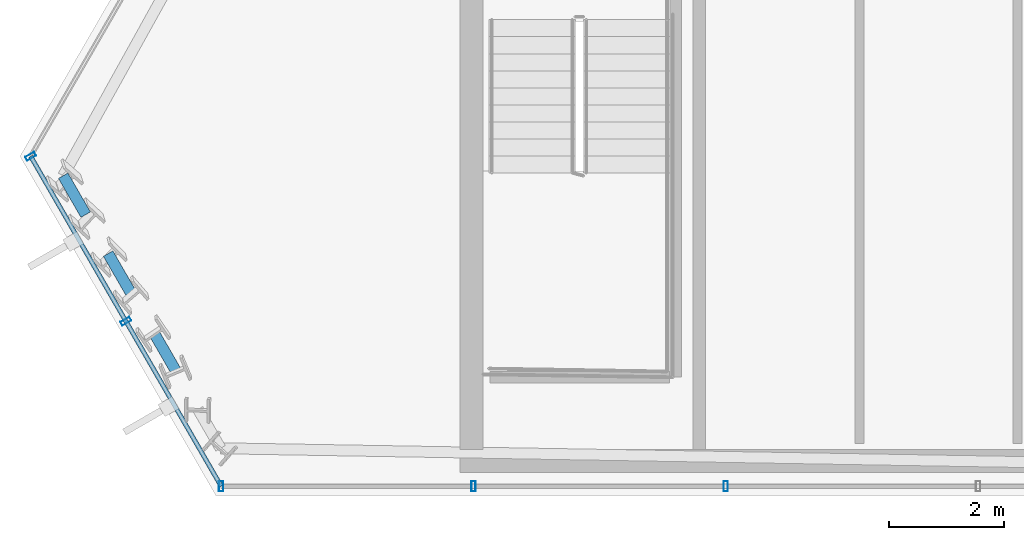
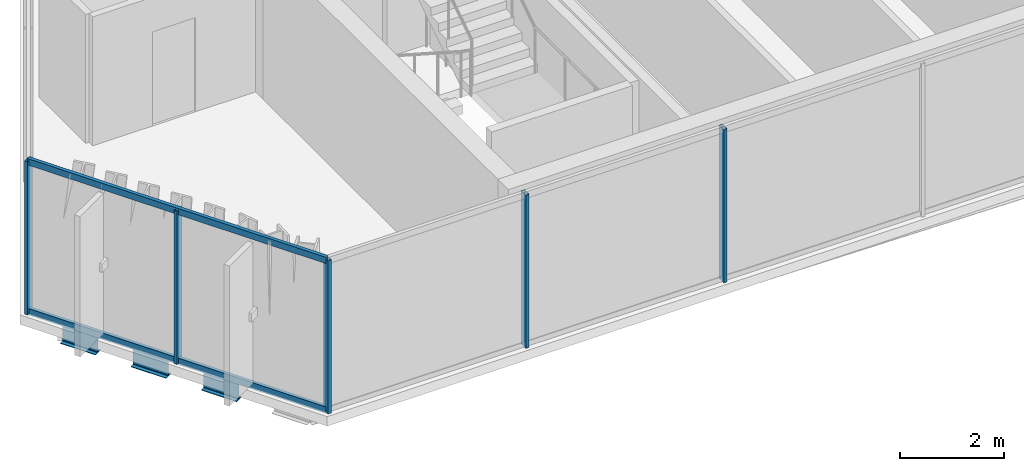
# One storey, part 2 of 29: 7 members, 3 beams, 2 elements without a shape of their own.
"""IFC4 building model written with IfcOpenShell, lengths in metres."""

from ifc_helpers import new_model, si_unit, direction, frame, origin, origin_2d, place, context, subcontext, project, spatial, hollow_rectangle, i_section, extrude, material, layer, layer_set, material_profile, profile_set, type_object, element, aggregate, save


model = new_model("IFC4")

# Units and contexts
model_context = context("Model", 3, precision=1e-05, world=origin(), true_north=direction((0.0, 1.0)))
body_context = subcontext(model_context, "Body", "Model", "MODEL_VIEW")
ifc_project = project(units=[si_unit("LENGTHUNIT", "METRE"), si_unit("AREAUNIT", "SQUARE_METRE"), si_unit("VOLUMEUNIT", "CUBIC_METRE"), si_unit("PLANEANGLEUNIT", "RADIAN"), si_unit("MASSUNIT", "GRAM", prefix="KILO")], contexts=[model_context])

# Site, building, storey
site_placement = place(None, origin())
site = spatial("IfcSite", under=ifc_project, at=site_placement, CompositionType="ELEMENT")
building_placement = place(site_placement, origin())
building = spatial("IfcBuilding", under=site, at=building_placement, Name="Ndaravel Arena Tower", CompositionType="ELEMENT")
storey_placement = place(building_placement, frame((0.0, 0.0, 248.39990234375)))
storey = spatial("IfcBuildingStorey", under=building, at=storey_placement, Name="L60", CompositionType="ELEMENT", Elevation=248.39990234375)

# Beams
ifc_material_1 = material(Name="Steel S355", Category="steel")
ifc_material_profile_1 = material_profile(ifc_material_1, i_section(OverallWidth=0.18994140625, OverallDepth=0.449951171875, WebThickness=0.009521484375, FlangeThickness=0.0146484375, FilletRadius=0.02099609375, at=origin_2d()), Name="IPE 450")
ifc_profile_set_1 = profile_set([ifc_material_profile_1], Name="Steel S355")
beam_type = type_object("IfcBeamType", Name="BM-SPAN-IPE450", PredefinedType="SPANDREL", material=ifc_profile_set_1)
for number, where, z_axis, x_axis, name in (
    (1, (19.56884765625, 10.54443359375, -0.44482421875), (0.500011542666, -0.866018739521, 0.0), (0.866018739521, 0.500011542666, 0.0), "L60 Perimeter Spandrel Beam SP-20"),
    (2, (20.348388671875, 9.19384765625, -0.44482421875), (0.500011542666, -0.866018739521, 0.0), (0.866018739521, 0.500011542666, 0.0), "L60 Perimeter Spandrel Beam SP-22"),
    (3, (21.128173828125, 7.843505859375, -0.44482421875), (0.500011542666, -0.866018739521, 0.0), (0.866018739521, 0.500011542666, 0.0), "L60 Perimeter Spandrel Beam SP-24"),
):
    element("IfcBeam", number, at=place(storey_placement, frame(where, z_axis=z_axis, x_axis=x_axis)), inside=storey, type_object=beam_type, Name=name, PredefinedType="SPANDREL", context=body_context, shape_type="SweptSolid", body=[
        extrude(i_section(OverallWidth=0.18994140625, OverallDepth=0.449951171875, WebThickness=0.009521484375, FlangeThickness=0.0146484375, FilletRadius=0.02099609375, at=origin_2d()), origin(), (0.0, 0.0, 1.0), 0.77978515625),
    ])

# Curtain wall, members
ifc_material_2 = material(Name="Aluminium", Category="aluminium")
ifc_layer_1 = layer(ifc_material_2, 0.179931640625)
ifc_layer_set_1 = layer_set([ifc_layer_1], Name="Aluminium")
curtain_wall_type_1 = type_object("IfcCurtainWallType", Name="CW-SYS-03", PredefinedType="NOTDEFINED", material=ifc_layer_set_1)
curtain_wall_1_placement = place(storey_placement, origin())
curtain_wall_1 = element("IfcCurtainWall", 4, at=curtain_wall_1_placement, inside=storey, type_object=curtain_wall_type_1, Name="L60 Faceted Crystal Curtain Wall CW-L60-E01", PredefinedType="NOTDEFINED")
ifc_material_3 = material(Name="Aluminium", Category="aluminium")
ifc_material_profile_2 = material_profile(ifc_material_3, hollow_rectangle(XDim=0.074951171875, YDim=0.179931640625, WallThickness=0.00390625, at=origin_2d()), Name="CW MULLION 75x180x4")
ifc_profile_set_2 = profile_set([ifc_material_profile_2], Name="Aluminium")
member_type_1 = type_object("IfcMemberType", Name="MEM-CW-MUL180", PredefinedType="MULLION", material=ifc_profile_set_2)
member_1_placement = place(storey_placement, frame((22.30810546875, 5.159912109375, 0.0), z_axis=(0.0, 0.0, 1.0), x_axis=(1.0, 0.0, 0.0)))
member_1 = element("IfcMember", 5, at=member_1_placement, type_object=member_type_1, Name="CW-L60-E01 Mullion 00", PredefinedType="MULLION", context=body_context, shape_type="SweptSolid", body=[
    extrude(hollow_rectangle(XDim=0.074951171875, YDim=0.179931640625, WallThickness=0.00390625, at=origin_2d()), origin(), (0.0, 0.0, 1.0), 3.580078125),
])
member_2_placement = place(storey_placement, frame((26.68408203125, 5.159912109375, 0.0), z_axis=(0.0, 0.0, 1.0), x_axis=(1.0, 0.0, 0.0)))
member_2 = element("IfcMember", 6, at=member_2_placement, type_object=member_type_1, Name="CW-L60-E01 Mullion 01", PredefinedType="MULLION", context=body_context, shape_type="SweptSolid", body=[
    extrude(hollow_rectangle(XDim=0.074951171875, YDim=0.179931640625, WallThickness=0.00390625, at=origin_2d()), origin(), (0.0, 0.0, 1.0), 3.580078125),
])
member_3_placement = place(storey_placement, frame((31.06005859375, 5.159912109375, 0.0), z_axis=(0.0, 0.0, 1.0), x_axis=(1.0, 0.0, 0.0)))
member_3 = element("IfcMember", 7, at=member_3_placement, type_object=member_type_1, Name="CW-L60-E01 Mullion 02", PredefinedType="MULLION", context=body_context, shape_type="SweptSolid", body=[
    extrude(hollow_rectangle(XDim=0.074951171875, YDim=0.179931640625, WallThickness=0.00390625, at=origin_2d()), origin(), (0.0, 0.0, 1.0), 3.580078125),
])
aggregate(curtain_wall_1, [member_1, member_2, member_3])

ifc_material_4 = material(Name="Aluminium", Category="aluminium")
ifc_layer_2 = layer(ifc_material_4, 0.179931640625)
ifc_layer_set_2 = layer_set([ifc_layer_2], Name="Aluminium")
curtain_wall_type_2 = type_object("IfcCurtainWallType", Name="CW-SYS-02", PredefinedType="NOTDEFINED", material=ifc_layer_set_2)
curtain_wall_2_placement = place(storey_placement, origin())
curtain_wall_2 = element("IfcCurtainWall", 8, at=curtain_wall_2_placement, inside=storey, type_object=curtain_wall_type_2, Name="L60 Faceted Crystal Curtain Wall CW-L60-E06", PredefinedType="NOTDEFINED")
member_4_placement = place(storey_placement, frame((19.00439453125, 10.882080078125, 0.0), z_axis=(0.0, 0.0, 1.0), x_axis=(0.5, -0.866025403784, 0.0)))
member_4 = element("IfcMember", 9, at=member_4_placement, type_object=member_type_1, Name="CW-L60-E06 Mullion 00", PredefinedType="MULLION", context=body_context, shape_type="SweptSolid", body=[
    extrude(hollow_rectangle(XDim=0.074951171875, YDim=0.179931640625, WallThickness=0.00390625, at=origin_2d()), origin(), (0.0, 0.0, 1.0), 3.580078125),
])
member_5_placement = place(storey_placement, frame((20.65625, 8.02099609375, 0.0), z_axis=(0.0, 0.0, 1.0), x_axis=(0.5, -0.866025403784, 0.0)))
member_5 = element("IfcMember", 10, at=member_5_placement, type_object=member_type_1, Name="CW-L60-E06 Mullion 01", PredefinedType="MULLION", context=body_context, shape_type="SweptSolid", body=[
    extrude(hollow_rectangle(XDim=0.074951171875, YDim=0.179931640625, WallThickness=0.00390625, at=origin_2d()), origin(), (0.0, 0.0, 1.0), 3.580078125),
])
ifc_material_5 = material(Name="Aluminium", Category="aluminium")
ifc_material_profile_3 = material_profile(ifc_material_5, hollow_rectangle(XDim=0.074951171875, YDim=0.14990234375, WallThickness=0.00390625, at=origin_2d()), Name="CW TRANSOM 75x150x4")
ifc_profile_set_3 = profile_set([ifc_material_profile_3], Name="Aluminium")
member_type_2 = type_object("IfcMemberType", Name="MEM-CW-TRN150", PredefinedType="USERDEFINED", material=ifc_profile_set_3)
member_6_placement = place(storey_placement, frame((19.00439453125, 10.882080078125, 0.0400390625), z_axis=(0.500001784407, -0.866024373554, 0.0), x_axis=(0.866024373554, 0.500001784407, 0.0)))
member_6 = element("IfcMember", 11, at=member_6_placement, type_object=member_type_2, Name="CW-L60-E06 Transom 01", ObjectType="TRANSOM", PredefinedType="USERDEFINED", context=body_context, shape_type="SweptSolid", body=[
    extrude(hollow_rectangle(XDim=0.074951171875, YDim=0.14990234375, WallThickness=0.00390625, at=origin_2d()), origin(), (0.0, 0.0, 1.0), 6.607421875),
])
member_7_placement = place(storey_placement, frame((19.00439453125, 10.882080078125, 3.5400390625), z_axis=(0.500001784407, -0.866024373554, 0.0), x_axis=(0.866024373554, 0.500001784407, 0.0)))
member_7 = element("IfcMember", 12, at=member_7_placement, type_object=member_type_2, Name="CW-L60-E06 Transom 02", ObjectType="TRANSOM", PredefinedType="USERDEFINED", context=body_context, shape_type="SweptSolid", body=[
    extrude(hollow_rectangle(XDim=0.074951171875, YDim=0.14990234375, WallThickness=0.00390625, at=origin_2d()), origin(), (0.0, 0.0, 1.0), 6.607421875),
])
aggregate(curtain_wall_2, [member_4, member_5, member_6, member_7])

save(model, "model.ifc")
